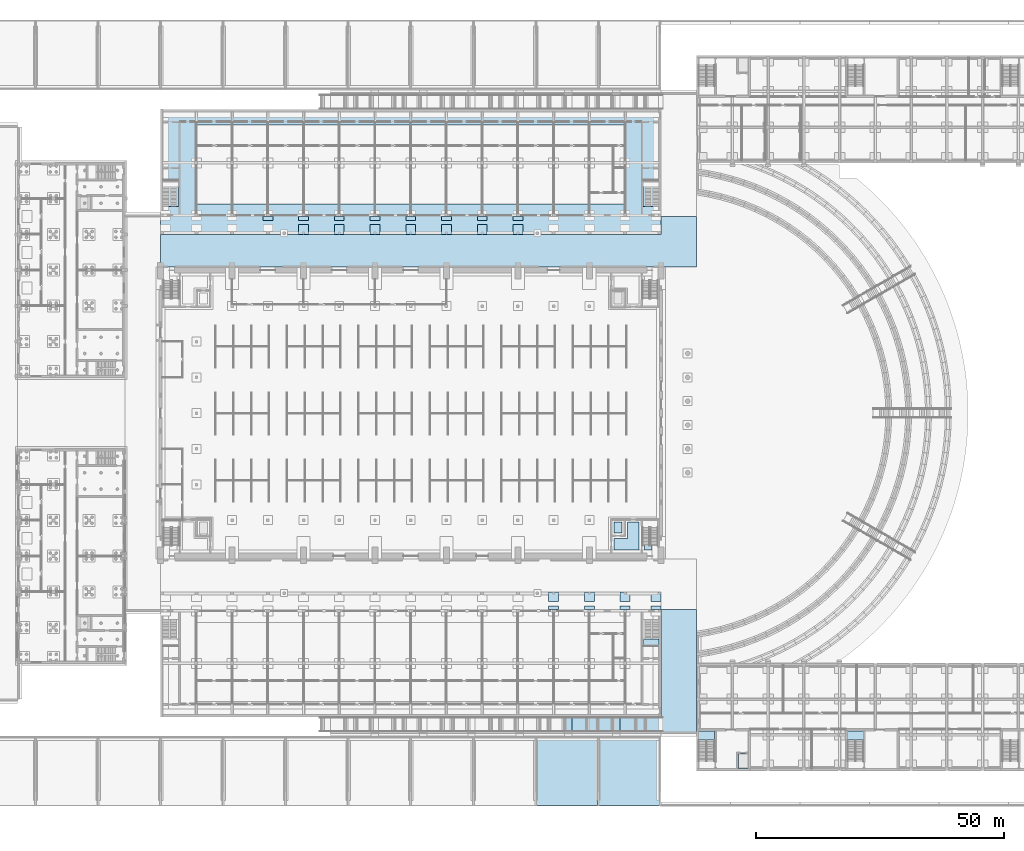
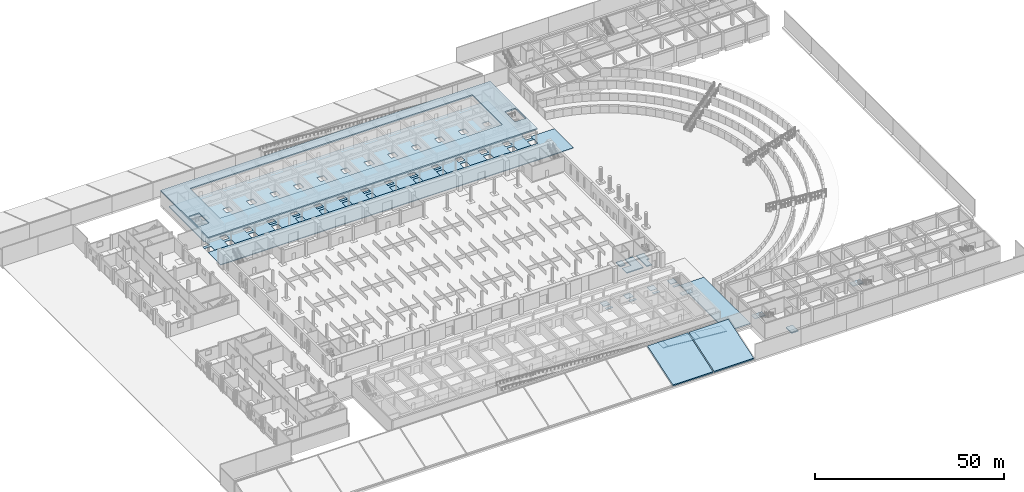
# One storey, part 25 of 73: 40 slabs, 3 elements without a shape of their own.
"""IFC4 building model written with IfcOpenShell, lengths in metres."""

from ifc_helpers import new_model, si_unit, direction, frame, origin, place, context, subcontext, project, spatial, polyline, outline, extrude, material, layer, layer_set, type_object, element, aggregate, save


model = new_model("IFC4")

# Units and contexts
model_context = context("Model", 3, precision=1e-05, world=origin(), true_north=direction((0.0, 1.0)))
body_context = subcontext(model_context, "Body", "Model", "MODEL_VIEW")
ifc_project = project(units=[si_unit("LENGTHUNIT", "METRE"), si_unit("AREAUNIT", "SQUARE_METRE"), si_unit("VOLUMEUNIT", "CUBIC_METRE"), si_unit("PLANEANGLEUNIT", "RADIAN"), si_unit("MASSUNIT", "GRAM", prefix="KILO")], contexts=[model_context])

# Site, building, storey
site_placement = place(None, origin())
site = spatial("IfcSite", under=ifc_project, at=site_placement, CompositionType="ELEMENT")
building_placement = place(site_placement, origin())
building = spatial("IfcBuilding", under=site, at=building_placement, Name="Alderwick Market Hall", CompositionType="ELEMENT")
storey_placement = place(building_placement, origin())
storey = spatial("IfcBuildingStorey", under=building, at=storey_placement, Name="LG", CompositionType="ELEMENT", Elevation=0.0)

# Slabs
ifc_material_1 = material(Name="Concrete 4000 psi (f'c 28 MPa)", Category="concrete")
ifc_layer_1 = layer(ifc_material_1, 0.25)
ifc_layer_set_1 = layer_set([ifc_layer_1], Name="Concrete 4000 psi (f'c 28 MPa)")
slab_type_1 = type_object("IfcSlabType", Name="A Ground Slab 250", PredefinedType="BASESLAB", material=ifc_layer_set_1)
slab_1_placement = place(storey_placement, frame((0.0, 0.0, -0.25)))
element("IfcSlab", 1, at=slab_1_placement, inside=storey, type_object=slab_type_1, Name="A.N.slab.LG", PredefinedType="BASESLAB", context=body_context, shape_type="SweptSolid", body=[
    extrude(outline(polyline([(85.39990234375, 117.199951171875), (85.39990234375, 115.199951171875), (80.199951171875, 115.199951171875), (80.199951171875, 117.199951171875), (78.199951171875, 117.199951171875), (78.199951171875, 115.199951171875), (73.0, 115.199951171875), (73.0, 117.199951171875), (71.0, 117.199951171875), (71.0, 115.199951171875), (65.800048828125, 115.199951171875), (65.800048828125, 117.199951171875), (63.800048828125, 117.199951171875), (63.800048828125, 115.199951171875), (58.60009765625, 115.199951171875), (58.60009765625, 117.199951171875), (56.60009765625, 117.199951171875), (56.60009765625, 115.199951171875), (52.39990234375, 115.199951171875), (52.39990234375, 117.199951171875), (50.39990234375, 117.199951171875), (50.39990234375, 118.050048828125), (52.39990234375, 118.050048828125), (52.39990234375, 120.050048828125), (52.0, 120.050048828125), (52.0, 138.800048828125), (149.60009765625, 138.800048828125), (149.60009765625, 120.050048828125), (149.199951171875, 120.050048828125), (149.199951171875, 118.050048828125), (151.199951171875, 118.050048828125), (151.199951171875, 117.199951171875), (149.199951171875, 117.199951171875), (149.199951171875, 115.199951171875), (145.0, 115.199951171875), (145.0, 117.199951171875), (143.0, 117.199951171875), (143.0, 115.199951171875), (137.800048828125, 115.199951171875), (137.800048828125, 117.199951171875), (135.800048828125, 117.199951171875), (135.800048828125, 115.199951171875), (130.60009765625, 115.199951171875), (130.60009765625, 117.199951171875), (128.60009765625, 117.199951171875), (128.60009765625, 115.199951171875), (123.39990234375, 115.199951171875), (123.39990234375, 117.199951171875), (121.39990234375, 117.199951171875), (121.39990234375, 115.199951171875), (116.199951171875, 115.199951171875), (116.199951171875, 117.199951171875), (114.199951171875, 117.199951171875), (114.199951171875, 115.199951171875), (109.0, 115.199951171875), (109.0, 117.199951171875), (107.0, 117.199951171875), (107.0, 115.199951171875), (101.800048828125, 115.199951171875), (101.800048828125, 117.199951171875), (99.800048828125, 117.199951171875), (99.800048828125, 115.199951171875), (94.60009765625, 115.199951171875), (94.60009765625, 117.199951171875), (92.60009765625, 117.199951171875), (92.60009765625, 115.199951171875), (87.39990234375, 115.199951171875), (87.39990234375, 117.199951171875), (85.39990234375, 117.199951171875)]), holes=[polyline([(58.60009765625, 120.050048828125), (56.60009765625, 120.050048828125), (56.60009765625, 118.050048828125), (58.60009765625, 118.050048828125), (58.60009765625, 120.050048828125)]), polyline([(65.800048828125, 118.050048828125), (65.800048828125, 120.050048828125), (63.800048828125, 120.050048828125), (63.800048828125, 118.050048828125), (65.800048828125, 118.050048828125)]), polyline([(71.0, 118.050048828125), (73.0, 118.050048828125), (73.0, 120.050048828125), (71.0, 120.050048828125), (71.0, 118.050048828125)]), polyline([(78.199951171875, 120.050048828125), (78.199951171875, 118.050048828125), (80.199951171875, 118.050048828125), (80.199951171875, 120.050048828125), (78.199951171875, 120.050048828125)]), polyline([(87.39990234375, 120.050048828125), (85.39990234375, 120.050048828125), (85.39990234375, 118.050048828125), (87.39990234375, 118.050048828125), (87.39990234375, 120.050048828125)]), polyline([(94.60009765625, 118.050048828125), (94.60009765625, 120.050048828125), (92.60009765625, 120.050048828125), (92.60009765625, 118.050048828125), (94.60009765625, 118.050048828125)]), polyline([(99.800048828125, 118.050048828125), (101.800048828125, 118.050048828125), (101.800048828125, 120.050048828125), (99.800048828125, 120.050048828125), (99.800048828125, 118.050048828125)]), polyline([(107.0, 120.050048828125), (107.0, 118.050048828125), (109.0, 118.050048828125), (109.0, 120.050048828125), (107.0, 120.050048828125)]), polyline([(116.199951171875, 120.050048828125), (114.199951171875, 120.050048828125), (114.199951171875, 118.050048828125), (116.199951171875, 118.050048828125), (116.199951171875, 120.050048828125)]), polyline([(123.39990234375, 118.050048828125), (123.39990234375, 120.050048828125), (121.39990234375, 120.050048828125), (121.39990234375, 118.050048828125), (123.39990234375, 118.050048828125)]), polyline([(128.60009765625, 118.050048828125), (130.60009765625, 118.050048828125), (130.60009765625, 120.050048828125), (128.60009765625, 120.050048828125), (128.60009765625, 118.050048828125)]), polyline([(135.800048828125, 120.050048828125), (135.800048828125, 118.050048828125), (137.800048828125, 118.050048828125), (137.800048828125, 120.050048828125), (135.800048828125, 120.050048828125)]), polyline([(145.0, 120.050048828125), (143.0, 120.050048828125), (143.0, 118.050048828125), (145.0, 118.050048828125), (145.0, 120.050048828125)]), polyline([(56.60009765625, 128.60009765625), (58.60009765625, 128.60009765625), (58.60009765625, 130.60009765625), (56.60009765625, 130.60009765625), (56.60009765625, 128.60009765625)]), polyline([(63.800048828125, 130.60009765625), (63.800048828125, 128.60009765625), (65.800048828125, 128.60009765625), (65.800048828125, 130.60009765625), (63.800048828125, 130.60009765625)]), polyline([(73.0, 130.60009765625), (71.0, 130.60009765625), (71.0, 128.60009765625), (73.0, 128.60009765625), (73.0, 130.60009765625)]), polyline([(80.199951171875, 128.60009765625), (80.199951171875, 130.60009765625), (78.199951171875, 130.60009765625), (78.199951171875, 128.60009765625), (80.199951171875, 128.60009765625)]), polyline([(85.39990234375, 128.60009765625), (87.39990234375, 128.60009765625), (87.39990234375, 130.60009765625), (85.39990234375, 130.60009765625), (85.39990234375, 128.60009765625)]), polyline([(92.60009765625, 130.60009765625), (92.60009765625, 128.60009765625), (94.60009765625, 128.60009765625), (94.60009765625, 130.60009765625), (92.60009765625, 130.60009765625)]), polyline([(101.800048828125, 130.60009765625), (99.800048828125, 130.60009765625), (99.800048828125, 128.60009765625), (101.800048828125, 128.60009765625), (101.800048828125, 130.60009765625)]), polyline([(109.0, 128.60009765625), (109.0, 130.60009765625), (107.0, 130.60009765625), (107.0, 128.60009765625), (109.0, 128.60009765625)]), polyline([(114.199951171875, 128.60009765625), (116.199951171875, 128.60009765625), (116.199951171875, 130.60009765625), (114.199951171875, 130.60009765625), (114.199951171875, 128.60009765625)]), polyline([(121.39990234375, 130.60009765625), (121.39990234375, 128.60009765625), (123.39990234375, 128.60009765625), (123.39990234375, 130.60009765625), (121.39990234375, 130.60009765625)]), polyline([(130.60009765625, 130.60009765625), (128.60009765625, 130.60009765625), (128.60009765625, 128.60009765625), (130.60009765625, 128.60009765625), (130.60009765625, 130.60009765625)]), polyline([(137.800048828125, 128.60009765625), (137.800048828125, 130.60009765625), (135.800048828125, 130.60009765625), (135.800048828125, 128.60009765625), (137.800048828125, 128.60009765625)]), polyline([(143.0, 128.60009765625), (145.0, 128.60009765625), (145.0, 130.60009765625), (143.0, 130.60009765625), (143.0, 128.60009765625)])]), origin(), (0.0, 0.0, 1.0), 0.25),
])
ifc_layer_2 = layer(ifc_material_1, 0.39990234375)
ifc_layer_set_2 = layer_set([ifc_layer_2], Name="Concrete 4000 psi (f'c 28 MPa)")
slab_type_2 = type_object("IfcSlabType", Name="A RC Roof Slab 400", PredefinedType="ROOF", material=ifc_layer_set_2)
slab_2_placement = place(storey_placement, frame((0.0, 0.0, 4.39990234375)))
element("IfcSlab", 2, at=slab_2_placement, inside=storey, type_object=slab_type_2, Name="A.N.roof", PredefinedType="ROOF", context=body_context, shape_type="SweptSolid", body=[
    extrude(outline(polyline([(151.199951171875, 140.39990234375), (151.199951171875, 115.199951171875), (50.39990234375, 115.199951171875), (50.39990234375, 140.39990234375), (151.199951171875, 140.39990234375)]), holes=[polyline([(50.800048828125, 120.81005859375), (54.050048828125, 120.81005859375), (54.050048828125, 126.219970703125), (50.800048828125, 126.219970703125), (50.800048828125, 120.81005859375)]), polyline([(147.550048828125, 126.219970703125), (147.550048828125, 120.81005859375), (150.800048828125, 120.81005859375), (150.800048828125, 126.219970703125), (147.550048828125, 126.219970703125)]), polyline([(144.0, 137.25), (57.60009765625, 137.25), (57.60009765625, 121.35009765625), (144.0, 121.35009765625), (144.0, 137.25)])]), origin(), (0.0, 0.0, 1.0), 0.400146484375),
])

# Stair, slab
ifc_material_2 = material(Name="Concrete 5000 psi (f'c 35 MPa)", Category="concrete")
stair_type_1 = type_object("IfcStairType", Name="A Roof Stair 1300", PredefinedType="TWO_STRAIGHT_RUN_STAIR", material=ifc_material_2)
stair_1_placement = place(storey_placement, origin())
stair_1 = element("IfcStair", 3, at=stair_1_placement, inside=storey, type_object=stair_type_1, Name="Roof stair SE", PredefinedType="TWO_STRAIGHT_RUN_STAIR")
ifc_layer_3 = layer(ifc_material_2, 0.199951171875)
ifc_layer_set_3 = layer_set([ifc_layer_3], Name="Concrete 5000 psi (f'c 35 MPa)")
slab_type_3 = type_object("IfcSlabType", Name="A Stair Landing 200", PredefinedType="LANDING", material=ifc_layer_set_3)
slab_3_placement = place(storey_placement, frame((0.0, 0.0, 2.199951171875)))
slab_3 = element("IfcSlab", 4, at=slab_3_placement, type_object=slab_type_3, Name="A-ST-SE landing 1", PredefinedType="LANDING", context=body_context, shape_type="SweptSolid", body=[
    extrude(outline(polyline([(150.800048828125, 33.679931640625), (147.550048828125, 33.679931640625), (147.550048828125, 32.179931640625), (150.800048828125, 32.179931640625), (150.800048828125, 33.679931640625)])), origin(), (0.0, 0.0, 1.0), 0.199951171875),
])
aggregate(stair_1, [slab_3])

# Slab
ifc_layer_4 = layer(ifc_material_1, 0.300048828125)
ifc_layer_set_4 = layer_set([ifc_layer_4], Name="Concrete 4000 psi (f'c 28 MPa)")
slab_type_4 = type_object("IfcSlabType", Name="C Lift Pit Slab Concrete 4000 psi 300", PredefinedType="BASESLAB", material=ifc_layer_set_4)
slab_4_placement = place(storey_placement, frame((0.0, 0.0, -1.800048828125)))
element("IfcSlab", 5, at=slab_4_placement, inside=storey, type_object=slab_type_4, Name="C.pitslab.LG.A", PredefinedType="BASESLAB", context=body_context, shape_type="SweptSolid", body=[
    extrude(outline(polyline([(166.699951171875, 10.60009765625), (168.800048828125, 10.60009765625), (168.800048828125, 7.60009765625), (166.699951171875, 7.60009765625), (166.699951171875, 10.60009765625)])), origin(), (0.0, 0.0, 1.0), 0.300048828125),
])

# Stair, slab
stair_type_2 = type_object("IfcStairType", Name="C Exit Stair 1600", PredefinedType="HALF_TURN_STAIR", material=ifc_material_2)
stair_2_placement = place(storey_placement, origin())
stair_2 = element("IfcStair", 6, at=stair_2_placement, inside=storey, type_object=stair_type_2, Name="C.stair.LG.A", PredefinedType="HALF_TURN_STAIR")
ifc_layer_5 = layer(ifc_material_2, 0.199951171875)
ifc_layer_set_5 = layer_set([ifc_layer_5], Name="Concrete 5000 psi (f'c 35 MPa)")
slab_type_5 = type_object("IfcSlabType", Name="C Stair Landing Concrete 5000 psi 200", PredefinedType="LANDING", material=ifc_layer_set_5)
slab_5_placement = place(storey_placement, frame((0.0, 0.0, 2.199951171875)))
slab_5 = element("IfcSlab", 7, at=slab_5_placement, type_object=slab_type_5, Name="C-ST-A-LG landing 1", PredefinedType="LANDING", context=body_context, shape_type="SweptSolid", body=[
    extrude(outline(polyline([(158.800048828125, 15.199951171875), (162.0, 15.199951171875), (162.0, 13.300048828125), (158.800048828125, 13.300048828125), (158.800048828125, 15.199951171875)])), origin(), (0.0, 0.0, 1.0), 0.199951171875),
])
aggregate(stair_2, [slab_5])

stair_3_placement = place(storey_placement, origin())
stair_3 = element("IfcStair", 8, at=stair_3_placement, inside=storey, type_object=stair_type_2, Name="C.stair.LG.B", PredefinedType="HALF_TURN_STAIR")
slab_6_placement = place(storey_placement, frame((0.0, 0.0, 2.199951171875)))
slab_6 = element("IfcSlab", 9, at=slab_6_placement, type_object=slab_type_5, Name="C-ST-B-LG landing 1", PredefinedType="LANDING", context=body_context, shape_type="SweptSolid", body=[
    extrude(outline(polyline([(188.800048828125, 15.199951171875), (192.0, 15.199951171875), (192.0, 13.300048828125), (188.800048828125, 13.300048828125), (188.800048828125, 15.199951171875)])), origin(), (0.0, 0.0, 1.0), 0.199951171875),
])
aggregate(stair_3, [slab_6])

# Slabs
ifc_layer_6 = layer(ifc_material_1, 0.300048828125)
ifc_layer_set_6 = layer_set([ifc_layer_6], Name="Concrete 4000 psi (f'c 28 MPa)")
slab_type_6 = type_object("IfcSlabType", Name="H Base slab 300", PredefinedType="BASESLAB", material=ifc_layer_set_6)
slab_7_placement = place(storey_placement, frame((0.0, 0.0, -0.300048828125)))
element("IfcSlab", 10, at=slab_7_placement, inside=storey, type_object=slab_type_6, Name="Base slab", PredefinedType="BASESLAB", context=body_context, shape_type="SweptSolid", body=[
    extrude(outline(polyline([(147.85009765625, 51.60009765625), (147.85009765625, 57.239990234375), (150.199951171875, 57.239990234375), (150.199951171875, 54.300048828125), (149.39990234375, 54.300048828125), (149.39990234375, 51.60009765625), (147.85009765625, 51.60009765625)])), origin(), (0.0, 0.0, 1.0), 0.300048828125),
])
slab_8_placement = place(storey_placement, frame((0.0, 0.0, -0.300048828125)))
element("IfcSlab", 11, at=slab_8_placement, inside=storey, type_object=slab_type_6, Name="Base slab", PredefinedType="BASESLAB", context=body_context, shape_type="SweptSolid", body=[
    extrude(outline(polyline([(144.449951171875, 53.989990234375), (144.449951171875, 57.239990234375), (146.800048828125, 57.239990234375), (146.800048828125, 51.60009765625), (141.699951171875, 51.60009765625), (141.699951171875, 53.989990234375), (144.449951171875, 53.989990234375)])), origin(), (0.0, 0.0, 1.0), 0.300048828125),
])
slab_9_placement = place(storey_placement, frame((0.0, 0.0, -0.300048828125)))
element("IfcSlab", 12, at=slab_9_placement, inside=storey, type_object=slab_type_6, Name="Base slab", PredefinedType="BASESLAB", context=body_context, shape_type="SweptSolid", body=[
    extrude(outline(polyline([(141.699951171875, 57.239990234375), (143.39990234375, 57.239990234375), (143.39990234375, 55.0400390625), (141.699951171875, 55.0400390625), (141.699951171875, 57.239990234375)])), origin(), (0.0, 0.0, 1.0), 0.300048828125),
])
ifc_material_3 = material(Name="Planted soil build-up, Concrete 4000 psi (f'c 28 MPa) drainage layer", Category="concrete")
ifc_layer_7 = layer(ifc_material_3, 0.60009765625)
ifc_layer_set_7 = layer_set([ifc_layer_7], Name="Planted soil build-up, Concrete 4000 psi (f'c 28 MPa) drainage layer")
slab_type_7 = type_object("IfcSlabType", Name="S Berm Soil Build-up 600", PredefinedType="ROOF", material=ifc_layer_set_7)
slab_10_placement = place(storey_placement, frame((126.14990234375, 0.16796875, 0.319091796875), z_axis=(0.0, -0.316238103955, 0.948679852009), x_axis=(1.0, 0.0, 0.0)))
element("IfcSlab", 13, at=slab_10_placement, inside=storey, type_object=slab_type_7, Name="Planted berm S11", PredefinedType="ROOF", context=body_context, shape_type="SweptSolid", body=[
    extrude(outline(polyline([(0.0, 0.0), (12.300048828125, 0.0), (12.300048828125, 14.169567092670977), (0.0, 14.169567092670977), (0.0, 0.0)])), origin(), (0.0, 0.0, -1.0), 0.60009765625),
])
slab_11_placement = place(storey_placement, frame((138.75, 0.16796875, 0.319091796875), z_axis=(0.0, -0.316238103955, 0.948679852009), x_axis=(1.0, 0.0, 0.0)))
element("IfcSlab", 14, at=slab_11_placement, inside=storey, type_object=slab_type_7, Name="Planted berm S12", PredefinedType="ROOF", context=body_context, shape_type="SweptSolid", body=[
    extrude(outline(polyline([(0.0, 0.0), (12.14990234375, 0.0), (12.14990234375, 14.169567092670977), (0.0, 14.169567092670977), (0.0, 0.0)])), origin(), (0.0, 0.0, -1.0), 0.60009765625),
])
ifc_layer_8 = layer(ifc_material_1, 0.14990234375)
ifc_layer_set_8 = layer_set([ifc_layer_8], Name="Concrete 4000 psi (f'c 28 MPa)")
slab_type_8 = type_object("IfcSlabType", Name="S Paving Arcade 150", PredefinedType="USERDEFINED", material=ifc_layer_set_8)
slab_12_placement = place(storey_placement, frame((0.0, 0.0, -0.14990234375)))
element("IfcSlab", 15, at=slab_12_placement, inside=storey, type_object=slab_type_8, Name="Paving arcade 03", ObjectType="PAVING SLAB", PredefinedType="USERDEFINED", context=body_context, shape_type="SweptSolid", body=[
    extrude(outline(polyline([(151.199951171875, 43.199951171875), (149.199951171875, 43.199951171875), (149.199951171875, 41.199951171875), (151.199951171875, 41.199951171875), (151.199951171875, 43.199951171875)])), origin(), (0.0, 0.0, 1.0), 0.14990234375),
])
slab_13_placement = place(storey_placement, frame((0.0, 0.0, -0.14990234375)))
element("IfcSlab", 16, at=slab_13_placement, inside=storey, type_object=slab_type_8, Name="Paving arcade 04", ObjectType="PAVING SLAB", PredefinedType="USERDEFINED", context=body_context, shape_type="SweptSolid", body=[
    extrude(outline(polyline([(151.199951171875, 40.35009765625), (149.199951171875, 40.35009765625), (149.199951171875, 39.60009765625), (151.199951171875, 39.60009765625), (151.199951171875, 40.35009765625)])), origin(), (0.0, 0.0, 1.0), 0.14990234375),
])
slab_14_placement = place(storey_placement, frame((0.0, 0.0, -0.14990234375)))
element("IfcSlab", 17, at=slab_14_placement, inside=storey, type_object=slab_type_8, Name="Paving arcade 06", ObjectType="PAVING SLAB", PredefinedType="USERDEFINED", context=body_context, shape_type="SweptSolid", body=[
    extrude(outline(polyline([(143.0, 43.199951171875), (143.0, 41.199951171875), (145.0, 41.199951171875), (145.0, 43.199951171875), (143.0, 43.199951171875)])), origin(), (0.0, 0.0, 1.0), 0.14990234375),
])
slab_15_placement = place(storey_placement, frame((0.0, 0.0, -0.14990234375)))
element("IfcSlab", 18, at=slab_15_placement, inside=storey, type_object=slab_type_8, Name="Paving arcade 08", ObjectType="PAVING SLAB", PredefinedType="USERDEFINED", context=body_context, shape_type="SweptSolid", body=[
    extrude(outline(polyline([(145.0, 39.60009765625), (145.0, 40.35009765625), (143.0, 40.35009765625), (143.0, 39.60009765625), (145.0, 39.60009765625)])), origin(), (0.0, 0.0, 1.0), 0.14990234375),
])
slab_16_placement = place(storey_placement, frame((0.0, 0.0, -0.14990234375)))
element("IfcSlab", 19, at=slab_16_placement, inside=storey, type_object=slab_type_8, Name="Paving arcade 10", ObjectType="PAVING SLAB", PredefinedType="USERDEFINED", context=body_context, shape_type="SweptSolid", body=[
    extrude(outline(polyline([(135.800048828125, 43.199951171875), (135.800048828125, 41.199951171875), (137.800048828125, 41.199951171875), (137.800048828125, 43.199951171875), (135.800048828125, 43.199951171875)])), origin(), (0.0, 0.0, 1.0), 0.14990234375),
])
slab_17_placement = place(storey_placement, frame((0.0, 0.0, -0.14990234375)))
element("IfcSlab", 20, at=slab_17_placement, inside=storey, type_object=slab_type_8, Name="Paving arcade 12", ObjectType="PAVING SLAB", PredefinedType="USERDEFINED", context=body_context, shape_type="SweptSolid", body=[
    extrude(outline(polyline([(137.800048828125, 39.60009765625), (137.800048828125, 40.35009765625), (135.800048828125, 40.35009765625), (135.800048828125, 39.60009765625), (137.800048828125, 39.60009765625)])), origin(), (0.0, 0.0, 1.0), 0.14990234375),
])
slab_18_placement = place(storey_placement, frame((0.0, 0.0, -0.14990234375)))
element("IfcSlab", 21, at=slab_18_placement, inside=storey, type_object=slab_type_8, Name="Paving arcade 14", ObjectType="PAVING SLAB", PredefinedType="USERDEFINED", context=body_context, shape_type="SweptSolid", body=[
    extrude(outline(polyline([(130.60009765625, 39.60009765625), (130.60009765625, 40.35009765625), (128.60009765625, 40.35009765625), (128.60009765625, 39.60009765625), (130.60009765625, 39.60009765625)])), origin(), (0.0, 0.0, 1.0), 0.14990234375),
])
slab_19_placement = place(storey_placement, frame((0.0, 0.0, -0.14990234375)))
element("IfcSlab", 22, at=slab_19_placement, inside=storey, type_object=slab_type_8, Name="Paving arcade 15", ObjectType="PAVING SLAB", PredefinedType="USERDEFINED", context=body_context, shape_type="SweptSolid", body=[
    extrude(outline(polyline([(128.60009765625, 43.199951171875), (128.60009765625, 41.199951171875), (130.60009765625, 41.199951171875), (130.60009765625, 43.199951171875), (128.60009765625, 43.199951171875)])), origin(), (0.0, 0.0, 1.0), 0.14990234375),
])
slab_20_placement = place(storey_placement, frame((0.0, 0.0, -0.14990234375)))
element("IfcSlab", 23, at=slab_20_placement, inside=storey, type_object=slab_type_8, Name="Paving arcade 17", ObjectType="PAVING SLAB", PredefinedType="USERDEFINED", context=body_context, shape_type="SweptSolid", body=[
    extrude(outline(polyline([(121.39990234375, 118.800048828125), (121.39990234375, 118.050048828125), (123.39990234375, 118.050048828125), (123.39990234375, 118.800048828125), (121.39990234375, 118.800048828125)])), origin(), (0.0, 0.0, 1.0), 0.14990234375),
])
slab_21_placement = place(storey_placement, frame((0.0, 0.0, -0.14990234375)))
element("IfcSlab", 24, at=slab_21_placement, inside=storey, type_object=slab_type_8, Name="Paving arcade 19", ObjectType="PAVING SLAB", PredefinedType="USERDEFINED", context=body_context, shape_type="SweptSolid", body=[
    extrude(outline(polyline([(123.39990234375, 115.199951171875), (123.39990234375, 117.199951171875), (121.39990234375, 117.199951171875), (121.39990234375, 115.199951171875), (123.39990234375, 115.199951171875)])), origin(), (0.0, 0.0, 1.0), 0.14990234375),
])
slab_22_placement = place(storey_placement, frame((0.0, 0.0, -0.14990234375)))
element("IfcSlab", 25, at=slab_22_placement, inside=storey, type_object=slab_type_8, Name="Paving arcade 21", ObjectType="PAVING SLAB", PredefinedType="USERDEFINED", context=body_context, shape_type="SweptSolid", body=[
    extrude(outline(polyline([(114.199951171875, 118.800048828125), (114.199951171875, 118.050048828125), (116.199951171875, 118.050048828125), (116.199951171875, 118.800048828125), (114.199951171875, 118.800048828125)])), origin(), (0.0, 0.0, 1.0), 0.14990234375),
])
slab_23_placement = place(storey_placement, frame((0.0, 0.0, -0.14990234375)))
element("IfcSlab", 26, at=slab_23_placement, inside=storey, type_object=slab_type_8, Name="Paving arcade 23", ObjectType="PAVING SLAB", PredefinedType="USERDEFINED", context=body_context, shape_type="SweptSolid", body=[
    extrude(outline(polyline([(116.199951171875, 115.199951171875), (116.199951171875, 117.199951171875), (114.199951171875, 117.199951171875), (114.199951171875, 115.199951171875), (116.199951171875, 115.199951171875)])), origin(), (0.0, 0.0, 1.0), 0.14990234375),
])
slab_24_placement = place(storey_placement, frame((0.0, 0.0, -0.14990234375)))
element("IfcSlab", 27, at=slab_24_placement, inside=storey, type_object=slab_type_8, Name="Paving arcade 25", ObjectType="PAVING SLAB", PredefinedType="USERDEFINED", context=body_context, shape_type="SweptSolid", body=[
    extrude(outline(polyline([(107.0, 118.800048828125), (107.0, 118.050048828125), (109.0, 118.050048828125), (109.0, 118.800048828125), (107.0, 118.800048828125)])), origin(), (0.0, 0.0, 1.0), 0.14990234375),
])
slab_25_placement = place(storey_placement, frame((0.0, 0.0, -0.14990234375)))
element("IfcSlab", 28, at=slab_25_placement, inside=storey, type_object=slab_type_8, Name="Paving arcade 27", ObjectType="PAVING SLAB", PredefinedType="USERDEFINED", context=body_context, shape_type="SweptSolid", body=[
    extrude(outline(polyline([(109.0, 115.199951171875), (109.0, 117.199951171875), (107.0, 117.199951171875), (107.0, 115.199951171875), (109.0, 115.199951171875)])), origin(), (0.0, 0.0, 1.0), 0.14990234375),
])
slab_26_placement = place(storey_placement, frame((0.0, 0.0, -0.14990234375)))
element("IfcSlab", 29, at=slab_26_placement, inside=storey, type_object=slab_type_8, Name="Paving arcade 30", ObjectType="PAVING SLAB", PredefinedType="USERDEFINED", context=body_context, shape_type="SweptSolid", body=[
    extrude(outline(polyline([(99.800048828125, 118.800048828125), (99.800048828125, 118.050048828125), (101.800048828125, 118.050048828125), (101.800048828125, 118.800048828125), (99.800048828125, 118.800048828125)])), origin(), (0.0, 0.0, 1.0), 0.14990234375),
])
slab_27_placement = place(storey_placement, frame((0.0, 0.0, -0.14990234375)))
element("IfcSlab", 30, at=slab_27_placement, inside=storey, type_object=slab_type_8, Name="Paving arcade 31", ObjectType="PAVING SLAB", PredefinedType="USERDEFINED", context=body_context, shape_type="SweptSolid", body=[
    extrude(outline(polyline([(101.800048828125, 115.199951171875), (101.800048828125, 117.199951171875), (99.800048828125, 117.199951171875), (99.800048828125, 115.199951171875), (101.800048828125, 115.199951171875)])), origin(), (0.0, 0.0, 1.0), 0.14990234375),
])
slab_28_placement = place(storey_placement, frame((0.0, 0.0, -0.14990234375)))
element("IfcSlab", 31, at=slab_28_placement, inside=storey, type_object=slab_type_8, Name="Paving arcade 33", ObjectType="PAVING SLAB", PredefinedType="USERDEFINED", context=body_context, shape_type="SweptSolid", body=[
    extrude(outline(polyline([(92.60009765625, 118.800048828125), (92.60009765625, 118.050048828125), (94.60009765625, 118.050048828125), (94.60009765625, 118.800048828125), (92.60009765625, 118.800048828125)])), origin(), (0.0, 0.0, 1.0), 0.14990234375),
])
slab_29_placement = place(storey_placement, frame((0.0, 0.0, -0.14990234375)))
element("IfcSlab", 32, at=slab_29_placement, inside=storey, type_object=slab_type_8, Name="Paving arcade 35", ObjectType="PAVING SLAB", PredefinedType="USERDEFINED", context=body_context, shape_type="SweptSolid", body=[
    extrude(outline(polyline([(94.60009765625, 115.199951171875), (94.60009765625, 117.199951171875), (92.60009765625, 117.199951171875), (92.60009765625, 115.199951171875), (94.60009765625, 115.199951171875)])), origin(), (0.0, 0.0, 1.0), 0.14990234375),
])
slab_30_placement = place(storey_placement, frame((0.0, 0.0, -0.14990234375)))
element("IfcSlab", 33, at=slab_30_placement, inside=storey, type_object=slab_type_8, Name="Paving arcade 39", ObjectType="PAVING SLAB", PredefinedType="USERDEFINED", context=body_context, shape_type="SweptSolid", body=[
    extrude(outline(polyline([(87.39990234375, 115.199951171875), (87.39990234375, 117.199951171875), (85.39990234375, 117.199951171875), (85.39990234375, 115.199951171875), (87.39990234375, 115.199951171875)])), origin(), (0.0, 0.0, 1.0), 0.14990234375),
])
slab_31_placement = place(storey_placement, frame((0.0, 0.0, -0.14990234375)))
element("IfcSlab", 34, at=slab_31_placement, inside=storey, type_object=slab_type_8, Name="Paving arcade 40", ObjectType="PAVING SLAB", PredefinedType="USERDEFINED", context=body_context, shape_type="SweptSolid", body=[
    extrude(outline(polyline([(85.39990234375, 118.800048828125), (85.39990234375, 118.050048828125), (87.39990234375, 118.050048828125), (87.39990234375, 118.800048828125), (85.39990234375, 118.800048828125)])), origin(), (0.0, 0.0, 1.0), 0.14990234375),
])
slab_32_placement = place(storey_placement, frame((0.0, 0.0, -0.14990234375)))
element("IfcSlab", 35, at=slab_32_placement, inside=storey, type_object=slab_type_8, Name="Paving arcade 41", ObjectType="PAVING SLAB", PredefinedType="USERDEFINED", context=body_context, shape_type="SweptSolid", body=[
    extrude(outline(polyline([(78.199951171875, 118.800048828125), (78.199951171875, 118.050048828125), (80.199951171875, 118.050048828125), (80.199951171875, 118.800048828125), (78.199951171875, 118.800048828125)])), origin(), (0.0, 0.0, 1.0), 0.14990234375),
])
slab_33_placement = place(storey_placement, frame((0.0, 0.0, -0.14990234375)))
element("IfcSlab", 36, at=slab_33_placement, inside=storey, type_object=slab_type_8, Name="Paving arcade 43", ObjectType="PAVING SLAB", PredefinedType="USERDEFINED", context=body_context, shape_type="SweptSolid", body=[
    extrude(outline(polyline([(80.199951171875, 115.199951171875), (80.199951171875, 117.199951171875), (78.199951171875, 117.199951171875), (78.199951171875, 115.199951171875), (80.199951171875, 115.199951171875)])), origin(), (0.0, 0.0, 1.0), 0.14990234375),
])
slab_34_placement = place(storey_placement, frame((0.0, 0.0, -0.14990234375)))
element("IfcSlab", 37, at=slab_34_placement, inside=storey, type_object=slab_type_8, Name="Paving arcade 45", ObjectType="PAVING SLAB", PredefinedType="USERDEFINED", context=body_context, shape_type="SweptSolid", body=[
    extrude(outline(polyline([(71.0, 118.800048828125), (71.0, 118.050048828125), (73.0, 118.050048828125), (73.0, 118.800048828125), (71.0, 118.800048828125)])), origin(), (0.0, 0.0, 1.0), 0.14990234375),
])
ifc_layer_9 = layer(ifc_material_1, 0.25)
ifc_layer_set_9 = layer_set([ifc_layer_9], Name="Concrete 4000 psi (f'c 28 MPa)")
slab_type_9 = type_object("IfcSlabType", Name="S Paving Vehicular 250", PredefinedType="USERDEFINED", material=ifc_layer_set_9)
slab_35_placement = place(storey_placement, frame((0.0, 0.0, -0.25)))
element("IfcSlab", 38, at=slab_35_placement, inside=storey, type_object=slab_type_9, Name="Paving cut 01", ObjectType="PAVING SLAB", PredefinedType="USERDEFINED", context=body_context, shape_type="SweptSolid", body=[
    extrude(outline(polyline([(151.199951171875, 18.0), (151.199951171875, 15.0), (158.39990234375, 15.0), (158.39990234375, 28.800048828125), (158.39990234375, 34.947509765625), (158.39990234375, 39.60009765625), (151.199951171875, 39.60009765625), (151.199951171875, 18.0)])), origin(), (0.0, 0.0, 1.0), 0.25),
])
slab_36_placement = place(storey_placement, frame((0.0, 0.0, -0.25)))
element("IfcSlab", 39, at=slab_36_placement, inside=storey, type_object=slab_type_9, Name="Paving lane 02", ObjectType="PAVING SLAB", PredefinedType="USERDEFINED", context=body_context, shape_type="SweptSolid", body=[
    extrude(outline(polyline([(151.199951171875, 118.800048828125), (151.199951171875, 118.050048828125), (151.199951171875, 117.199951171875), (151.199951171875, 115.199951171875), (149.199951171875, 115.199951171875), (145.0, 115.199951171875), (143.0, 115.199951171875), (137.800048828125, 115.199951171875), (135.800048828125, 115.199951171875), (130.60009765625, 115.199951171875), (128.60009765625, 115.199951171875), (123.39990234375, 115.199951171875), (121.39990234375, 115.199951171875), (116.199951171875, 115.199951171875), (114.199951171875, 115.199951171875), (109.0, 115.199951171875), (107.0, 115.199951171875), (101.800048828125, 115.199951171875), (99.800048828125, 115.199951171875), (94.60009765625, 115.199951171875), (92.60009765625, 115.199951171875), (87.39990234375, 115.199951171875), (85.39990234375, 115.199951171875), (80.199951171875, 115.199951171875), (78.199951171875, 115.199951171875), (73.0, 115.199951171875), (71.0, 115.199951171875), (65.800048828125, 115.199951171875), (63.800048828125, 115.199951171875), (58.60009765625, 115.199951171875), (56.60009765625, 115.199951171875), (52.39990234375, 115.199951171875), (50.39990234375, 115.199951171875), (50.39990234375, 108.60009765625), (151.199951171875, 108.60009765625), (152.10009765625, 108.60009765625), (158.39990234375, 108.60009765625), (158.39990234375, 118.800048828125), (151.199951171875, 118.800048828125)])), origin(), (0.0, 0.0, 1.0), 0.25),
])
ifc_layer_10 = layer(ifc_material_1, 0.25)
ifc_layer_set_10 = layer_set([ifc_layer_10], Name="Concrete 4000 psi (f'c 28 MPa)")
slab_type_10 = type_object("IfcSlabType", Name="S Ramp Landing 250", PredefinedType="LANDING", material=ifc_layer_set_10)
slab_37_placement = place(storey_placement, frame((0.0, 0.0, 0.435791015625)))
element("IfcSlab", 40, at=slab_37_placement, inside=storey, type_object=slab_type_10, Name="S-RPS1 landing 1", PredefinedType="LANDING", context=body_context, shape_type="SweptSolid", body=[
    extrude(outline(polyline([(142.970947265625, 15.0), (141.470947265625, 15.0), (141.470947265625, 18.0), (142.970947265625, 18.0), (142.970947265625, 15.0)])), origin(), (0.0, 0.0, 1.0), 0.25),
])
slab_38_placement = place(storey_placement, frame((0.0, 0.0, 1.121337890625)))
element("IfcSlab", 41, at=slab_38_placement, inside=storey, type_object=slab_type_10, Name="S-RPS2 landing 1", PredefinedType="LANDING", context=body_context, shape_type="SweptSolid", body=[
    extrude(outline(polyline([(133.242919921875, 15.0), (131.742919921875, 15.0), (131.742919921875, 18.0), (133.242919921875, 18.0), (133.242919921875, 15.0)])), origin(), (0.0, 0.0, 1.0), 0.25),
])
ifc_layer_11 = layer(ifc_material_1, 0.25)
ifc_layer_set_11 = layer_set([ifc_layer_11], Name="Concrete 4000 psi (f'c 28 MPa)")
slab_type_11 = type_object("IfcSlabType", Name="S Ramp Slab 250", PredefinedType="FLOOR", material=ifc_layer_set_11)
for number, where, z_axis, x_axis, name in (
    (42, (151.199951171875, 16.5, 0.0), (0.0, 0.0, 1.0), (-1.0, 0.0, 0.0), "Ramp S1 flight 1"),
    (43, (141.470947265625, 16.5, 0.685791015625), (0.0, 0.0, 1.0), (-1.0, 0.0, 0.0), "Ramp S2 flight 1"),
):
    element("IfcSlab", number, at=place(storey_placement, frame(where, z_axis=z_axis, x_axis=x_axis)), inside=storey, type_object=slab_type_11, Name=name, PredefinedType="FLOOR", context=body_context, shape_type="SweptSolid", body=[
        extrude(outline(polyline([(0.0, 0.0), (8.228515625, 0.685791015625), (8.228515625, 0.435791015625), (0.0, -0.25), (0.0, 0.0)])), frame((0.0, 1.5, 0.0), z_axis=(0.0, -1.0, 0.0), x_axis=(1.0, 0.0, 0.0)), (0.0, 0.0, 1.0), 3.0),
    ])

save(model, "model.ifc")
